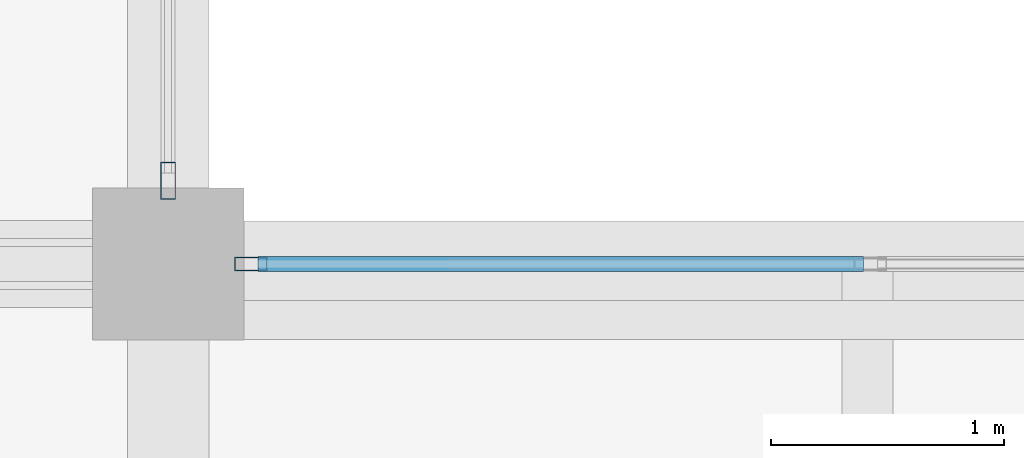
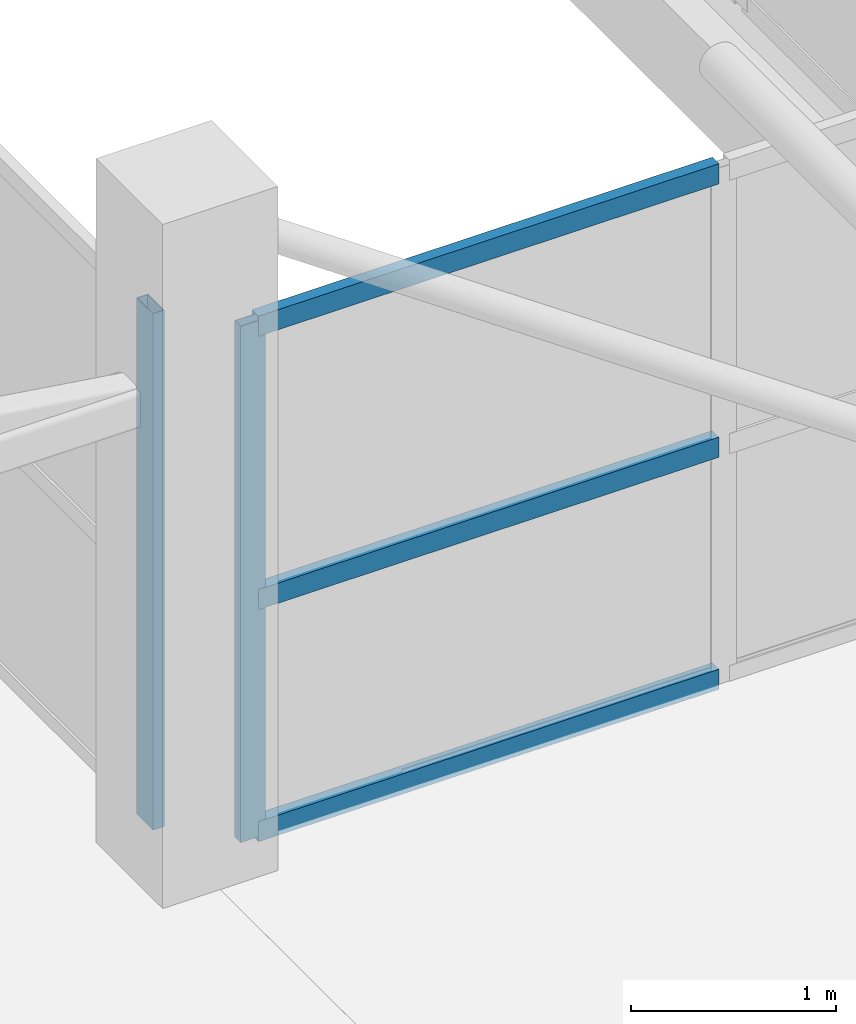
# One storey, part 12 of 70: 5 members, 2 elements without a shape of their own.
"""IFC4 building model written with IfcOpenShell, lengths in metres."""

from ifc_helpers import new_model, si_unit, direction, frame, origin, origin_2d, place, context, subcontext, project, spatial, hollow_rectangle, extrude, material, layer, layer_set, material_profile, profile_set, type_object, element, aggregate, save


model = new_model("IFC4")

# Units and contexts
model_context = context("Model", 3, precision=1e-05, world=origin(), true_north=direction((0.0, 1.0)))
body_context = subcontext(model_context, "Body", "Model", "MODEL_VIEW")
ifc_project = project(units=[si_unit("LENGTHUNIT", "METRE"), si_unit("AREAUNIT", "SQUARE_METRE"), si_unit("VOLUMEUNIT", "CUBIC_METRE"), si_unit("PLANEANGLEUNIT", "RADIAN"), si_unit("MASSUNIT", "GRAM", prefix="KILO")], contexts=[model_context])

# Site, building, storey
site_placement = place(None, origin())
site = spatial("IfcSite", under=ifc_project, at=site_placement, CompositionType="ELEMENT")
building_placement = place(site_placement, origin())
building = spatial("IfcBuilding", under=site, at=building_placement, Name="Sillaruma Civic Art Gallery", CompositionType="ELEMENT")
storey_placement = place(building_placement, frame((0.0, 0.0, 66.300048828125)))
storey = spatial("IfcBuildingStorey", under=building, at=storey_placement, Name="L13", CompositionType="ELEMENT", Elevation=66.300048828125)

# Curtain wall, member
ifc_material = material(Name="Thermally Broken Extruded Aluminium 6063-T6", Category="aluminium")
ifc_layer_1 = layer(ifc_material, 0.139892578125, Name="Thermally Broken Extruded Aluminium 6063-T6")
ifc_layer_set_1 = layer_set([ifc_layer_1], Name="Thermally Broken Extruded Aluminium 6063-T6")
curtain_wall_type_1 = type_object("IfcCurtainWallType", Name="CW-UNI-108", PredefinedType="NOTDEFINED", material=ifc_layer_set_1)
curtain_wall_1_placement = place(storey_placement, origin())
curtain_wall_1 = element("IfcCurtainWall", 1, at=curtain_wall_1_placement, inside=storey, type_object=curtain_wall_type_1, Name="Unitised Curtain Wall CW-108 (CW-BRG-S-L13-N)", PredefinedType="NOTDEFINED")
ifc_material_profile_1 = material_profile(ifc_material, hollow_rectangle(XDim=0.06005859375, YDim=0.139892578125, WallThickness=0.00341796875, at=origin_2d()), Name="CWM60x140")
ifc_profile_set_1 = profile_set([ifc_material_profile_1], Name="Thermally Broken Extruded Aluminium 6063-T6")
member_type_1 = type_object("IfcMemberType", Name="MEM-MUL-CWM60x140", PredefinedType="MULLION", material=ifc_profile_set_1)
member_1_placement = place(storey_placement, frame((92.35498046875, 49.5, 0.0), z_axis=(0.0, 0.0, 1.0), x_axis=(0.0, 1.0, 0.0)))
member_1 = element("IfcMember", 2, at=member_1_placement, type_object=member_type_1, Name="CW-108 mullion 1", PredefinedType="MULLION", context=body_context, shape_type="SweptSolid", body=[
    extrude(hollow_rectangle(XDim=0.06005859375, YDim=0.139892578125, WallThickness=0.00341796875, at=origin_2d()), origin(), (0.0, 0.0, 1.0), 3.079833984375),
])

ifc_layer_2 = layer(ifc_material, 0.159912109375, Name="Thermally Broken Extruded Aluminium 6063-T6")
ifc_layer_set_2 = layer_set([ifc_layer_2], Name="Thermally Broken Extruded Aluminium 6063-T6")
curtain_wall_type_2 = type_object("IfcCurtainWallType", Name="CW-UNI-94", PredefinedType="NOTDEFINED", material=ifc_layer_set_2)
curtain_wall_2_placement = place(storey_placement, origin())
curtain_wall_2 = element("IfcCurtainWall", 3, at=curtain_wall_2_placement, inside=storey, type_object=curtain_wall_type_2, Name="Unitised Curtain Wall CW-94 (CW-L13-WBE-4)", PredefinedType="NOTDEFINED")
ifc_material_profile_2 = material_profile(ifc_material, hollow_rectangle(XDim=0.06494140625, YDim=0.159912109375, WallThickness=0.00390625, at=origin_2d()), Name="CWM65x160")
ifc_profile_set_2 = profile_set([ifc_material_profile_2], Name="Thermally Broken Extruded Aluminium 6063-T6")
member_type_2 = type_object("IfcMemberType", Name="MEM-MUL-CWM65x160", PredefinedType="MULLION", material=ifc_profile_set_2)
member_2_placement = place(storey_placement, frame((92.0, 49.857421875, 0.0), z_axis=(0.0, 0.0, 1.0), x_axis=(-1.0, 0.0, 0.0)))
member_2 = element("IfcMember", 4, at=member_2_placement, type_object=member_type_2, Name="CW-94 mullion 1", PredefinedType="MULLION", context=body_context, shape_type="SweptSolid", body=[
    extrude(hollow_rectangle(XDim=0.06494140625, YDim=0.159912109375, WallThickness=0.00390625, at=origin_2d()), origin(), (0.0, 0.0, 1.0), 3.079833984375),
])
aggregate(curtain_wall_2, [member_2])

# Member
ifc_material_profile_3 = material_profile(ifc_material, hollow_rectangle(XDim=0.06494140625, YDim=0.1201171875, WallThickness=0.00341796875, at=origin_2d()), Name="CWT65x120")
ifc_profile_set_3 = profile_set([ifc_material_profile_3], Name="Thermally Broken Extruded Aluminium 6063-T6")
member_type_3 = type_object("IfcMemberType", Name="MEM-TRN-CWT65x120", PredefinedType="USERDEFINED", material=ifc_profile_set_3)
member_3_placement = place(storey_placement, frame((92.385009765625, 49.5, 0.032470703125), z_axis=(1.0, 0.0, 0.0), x_axis=(0.0, 1.0, 0.0)))
member_3 = element("IfcMember", 5, at=member_3_placement, type_object=member_type_3, Name="CW-108 transom 1.1", ObjectType="TRANSOM", PredefinedType="USERDEFINED", context=body_context, shape_type="SweptSolid", body=[
    extrude(hollow_rectangle(XDim=0.06494140625, YDim=0.1201171875, WallThickness=0.00341796875, at=origin_2d()), origin(), (0.0, 0.0, 1.0), 2.597412109375),
])

member_4_placement = place(storey_placement, frame((92.385009765625, 49.5, 1.416748046875), z_axis=(1.0, 0.0, 0.0), x_axis=(0.0, 1.0, 0.0)))
member_4 = element("IfcMember", 6, at=member_4_placement, type_object=member_type_3, Name="CW-108 transom 1.2", ObjectType="TRANSOM", PredefinedType="USERDEFINED", context=body_context, shape_type="SweptSolid", body=[
    extrude(hollow_rectangle(XDim=0.06494140625, YDim=0.1201171875, WallThickness=0.00341796875, at=origin_2d()), origin(), (0.0, 0.0, 1.0), 2.597412109375),
])

member_5_placement = place(storey_placement, frame((92.385009765625, 49.5, 3.04736328125), z_axis=(1.0, 0.0, 0.0), x_axis=(0.0, 1.0, 0.0)))
member_5 = element("IfcMember", 7, at=member_5_placement, type_object=member_type_3, Name="CW-108 transom 1.3", ObjectType="TRANSOM", PredefinedType="USERDEFINED", context=body_context, shape_type="SweptSolid", body=[
    extrude(hollow_rectangle(XDim=0.06494140625, YDim=0.1201171875, WallThickness=0.00341796875, at=origin_2d()), origin(), (0.0, 0.0, 1.0), 2.597412109375),
])

aggregate(curtain_wall_1, [member_1, member_3, member_4, member_5])

save(model, "model.ifc")
